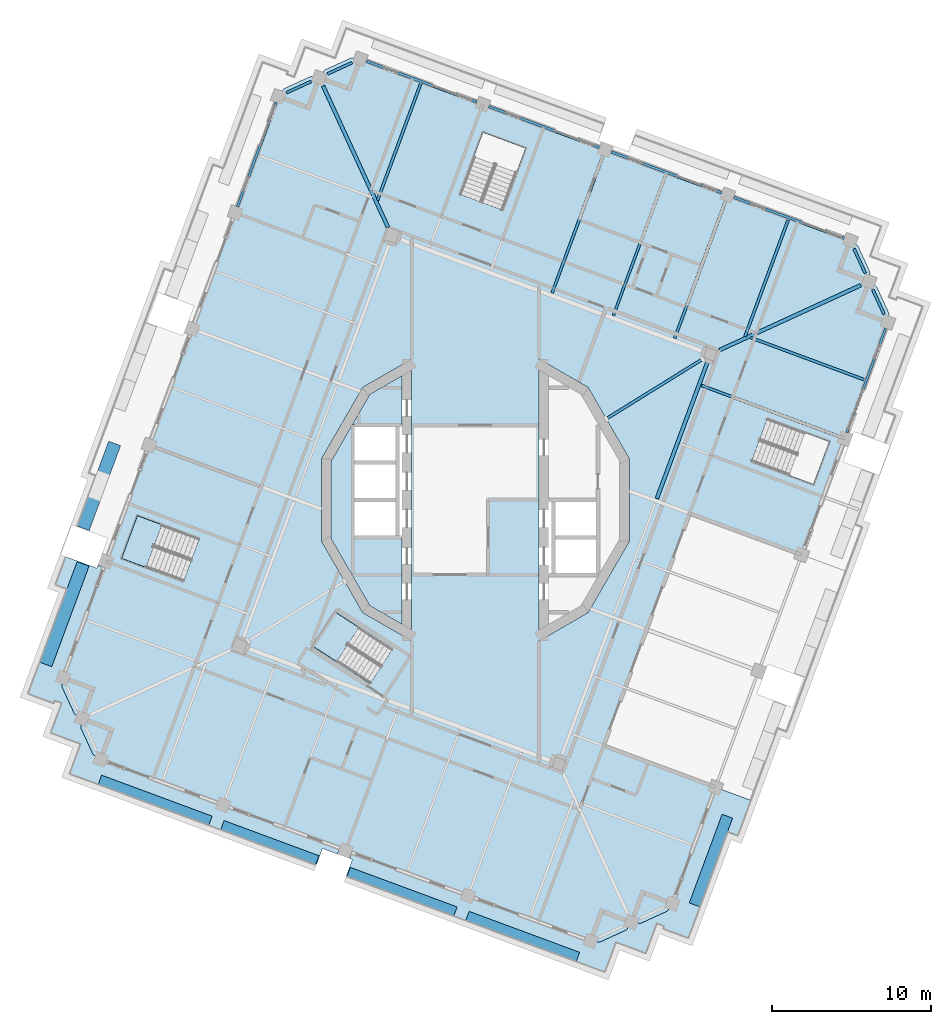
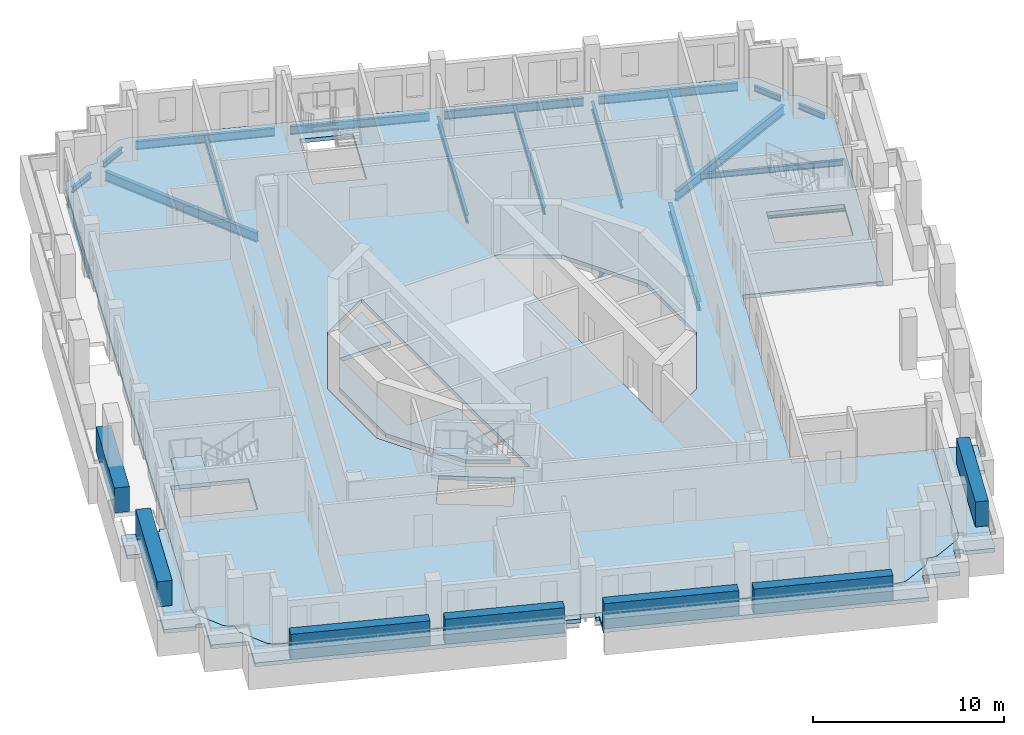
# One storey, part 2 of 18: 21 beams, 7 plates, 6 slabs, 2 elements without a shape of their own.
"""IFC4 building model written with IfcOpenShell, lengths in metres."""

from ifc_helpers import new_model, si_unit, direction, frame, origin, origin_2d, place, context, subcontext, project, spatial, polyline, rectangle, i_section, outline, extrude, material, layer, layer_set, material_profile, profile_set, type_object, element, aggregate, save


model = new_model("IFC4")

# Units and contexts
model_context = context("Model", 3, precision=1e-05, world=origin(), true_north=direction((0.0, 1.0)))
body_context = subcontext(model_context, "Body", "Model", "MODEL_VIEW")
ifc_project = project(units=[si_unit("LENGTHUNIT", "METRE"), si_unit("AREAUNIT", "SQUARE_METRE"), si_unit("VOLUMEUNIT", "CUBIC_METRE"), si_unit("PLANEANGLEUNIT", "RADIAN"), si_unit("MASSUNIT", "GRAM", prefix="KILO")], contexts=[model_context])

# Site, building, storey
site_placement = place(None, origin())
site = spatial("IfcSite", under=ifc_project, at=site_placement, CompositionType="ELEMENT")
building_placement = place(site_placement, origin())
building = spatial("IfcBuilding", under=site, at=building_placement, Name="Cantera Rosa Tower", CompositionType="ELEMENT")
storey_placement = place(building_placement, frame((0.0, 0.0, 338.5)))
storey = spatial("IfcBuildingStorey", under=building, at=storey_placement, Name="L76", CompositionType="ELEMENT", Elevation=338.5)

# Beams
ifc_material_1 = material(Name="Steel ASTM A992 (Fy 345 MPa)", Category="steel")
ifc_material_profile_1 = material_profile(ifc_material_1, i_section(OverallWidth=0.177978515625, OverallDepth=0.406005859375, WebThickness=0.0078125, FlangeThickness=0.0126953125, FilletRadius=0.01025390625, at=origin_2d()), Name="W410X60")
ifc_profile_set_1 = profile_set([ifc_material_profile_1], Name="Steel ASTM A992 (Fy 345 MPa)")
beam_type_1 = type_object("IfcBeamType", Name="STEEL BEAM W410X60", PredefinedType="BEAM", material=ifc_profile_set_1)
beam_1_placement = place(storey_placement, frame((14.262451171875, 8.84521484375, -0.452880859375), z_axis=(-0.849840939707, -0.527039255841, 0.0), x_axis=(0.527039255841, -0.849840939707, 0.0)))
element("IfcBeam", 1, at=beam_1_placement, inside=storey, type_object=beam_type_1, Name="PG-Z6-02 L76", PredefinedType="BEAM", context=body_context, shape_type="SweptSolid", body=[
    extrude(i_section(OverallWidth=0.177978515625, OverallDepth=0.406005859375, WebThickness=0.0078125, FlangeThickness=0.0126953125, FilletRadius=0.01025390625, at=origin_2d()), origin(), (0.0, 0.0, 1.0), 7.118408203125),
])
ifc_material_2 = material(Name="Steel ASTM A992 (Fy 345 MPa)", Category="steel")
ifc_material_profile_2 = material_profile(ifc_material_2, i_section(OverallWidth=0.166015625, OverallDepth=0.528076171875, WebThickness=0.009765625, FlangeThickness=0.013671875, FilletRadius=0.0126953125, at=origin_2d()), Name="W530X74")
ifc_profile_set_2 = profile_set([ifc_material_profile_2], Name="Steel ASTM A992 (Fy 345 MPa)")
beam_type_2 = type_object("IfcBeamType", Name="STEEL BEAM W530X74", PredefinedType="BEAM", material=ifc_profile_set_2)
for number, where, z_axis, x_axis, name in (
    (2, (15.698486328125, 18.764404296875, -0.513916015625), (-0.347476838353, -0.937688566, 0.0), (0.937688566, -0.347476838353, 0.0), "G-Z6-01 L76"),
    (3, (8.009521484375, 21.61376953125, -0.513916015625), (-0.34750017104, -0.937679919337, 0.0), (0.937679919337, -0.34750017104, 0.0), "G-Z6-02 L76"),
    (4, (22.808837890625, 3.9931640625, -0.513916015625), (-0.937688566, 0.347476838353, 0.0), (-0.347476838353, -0.937688566, 0.0), "G-Z6-11 L76"),
):
    element("IfcBeam", number, at=place(storey_placement, frame(where, z_axis=z_axis, x_axis=x_axis)), inside=storey, type_object=beam_type_2, Name=name, PredefinedType="BEAM", context=body_context, shape_type="SweptSolid", body=[
        extrude(i_section(OverallWidth=0.166015625, OverallDepth=0.528076171875, WebThickness=0.009765625, FlangeThickness=0.013671875, FilletRadius=0.0126953125, at=origin_2d()), origin(), (0.0, 0.0, 1.0), 9.199951171875),
    ])
ifc_material_3 = material(Name="Steel ASTM A992 (Fy 345 MPa)", Category="steel")
ifc_material_profile_3 = material_profile(ifc_material_3, i_section(OverallWidth=0.22802734375, OverallDepth=0.60205078125, WebThickness=0.010498046875, FlangeThickness=0.014892578125, FilletRadius=0.0126953125, at=origin_2d()), Name="W610X101")
ifc_profile_set_3 = profile_set([ifc_material_profile_3], Name="Steel ASTM A992 (Fy 345 MPa)")
beam_type_3 = type_object("IfcBeamType", Name="STEEL BEAM W610X101", PredefinedType="BEAM", material=ifc_profile_set_3)
for number, where, z_axis, x_axis, name in (
    (5, (-9.56396484375, 25.992919921875, -0.551025390625), (0.417345508131, -0.908747889595, 0.0), (0.908747889595, 0.417345508131, 0.0), "CB-Z6-01 L76"),
    (6, (24.19287109375, 13.483642578125, -0.551025390625), (-0.908747889595, -0.417345508131, 0.0), (0.417345508131, -0.908747889595, 0.0), "CB-Z6-04 L76"),
):
    element("IfcBeam", number, at=place(storey_placement, frame(where, z_axis=z_axis, x_axis=x_axis)), inside=storey, type_object=beam_type_3, Name=name, PredefinedType="BEAM", context=body_context, shape_type="SweptSolid", body=[
        extrude(i_section(OverallWidth=0.22802734375, OverallDepth=0.60205078125, WebThickness=0.010498046875, FlangeThickness=0.014892578125, FilletRadius=0.0126953125, at=origin_2d()), origin(), (0.0, 0.0, 1.0), 9.758056640625),
    ])
beam_2_placement = place(storey_placement, frame((11.39013671875, 0.087646484375, -0.551025390625), z_axis=(0.347498244979, 0.937680633125, 0.0), x_axis=(-0.937680633125, 0.347498244979, 0.0)))
element("IfcBeam", 7, at=beam_2_placement, inside=storey, type_object=beam_type_3, Name="RB-Z6-06 L76", PredefinedType="BEAM", context=body_context, shape_type="SweptSolid", body=[
    extrude(i_section(OverallWidth=0.22802734375, OverallDepth=0.60205078125, WebThickness=0.010498046875, FlangeThickness=0.014892578125, FilletRadius=0.0126953125, at=origin_2d()), origin(), (0.0, 0.0, 1.0), 9.2099609375),
])
ifc_material_4 = material(Name="Steel ASTM A992 (Fy 345 MPa)", Category="steel")
ifc_material_profile_4 = material_profile(ifc_material_4, i_section(OverallWidth=0.1708984375, OverallDepth=0.35595703125, WebThickness=0.00732421875, FlangeThickness=0.01171875, FilletRadius=0.010009765625, at=origin_2d()), Name="W360X51")
ifc_profile_set_4 = profile_set([ifc_material_profile_4], Name="Steel ASTM A992 (Fy 345 MPa)")
beam_type_4 = type_object("IfcBeamType", Name="STEEL JOIST W360X51", PredefinedType="JOIST", material=ifc_profile_set_4)
for number, where, z_axis, x_axis, name in (
    (8, (19.6298828125, 17.573974609375, -0.427978515625), (-0.347491728417, -0.937683048093, 0.0), (0.937683048093, -0.347491728417, 0.0), "B-Z6-01 L76"),
    (9, (-3.437255859375, 26.1220703125, -0.427978515625), (-0.347491728417, -0.937683048093, 0.0), (0.937683048093, -0.347491728417, 0.0), "B-Z6-04 L76"),
):
    element("IfcBeam", number, at=place(storey_placement, frame(where, z_axis=z_axis, x_axis=x_axis)), inside=storey, type_object=beam_type_4, Name=name, PredefinedType="JOIST", context=body_context, shape_type="SweptSolid", body=[
        extrude(i_section(OverallWidth=0.1708984375, OverallDepth=0.35595703125, WebThickness=0.00732421875, FlangeThickness=0.01171875, FilletRadius=0.010009765625, at=origin_2d()), origin(), (0.0, 0.0, 1.0), 7.800048828125),
    ])
beam_3_placement = place(storey_placement, frame((24.39501953125, 7.553955078125, -0.427978515625), z_axis=(-0.937686277131, 0.347483014951, 0.0), x_axis=(-0.347483014951, -0.937686277131, 0.0)))
element("IfcBeam", 10, at=beam_3_placement, inside=storey, type_object=beam_type_4, Name="B-Z6-14 L76", PredefinedType="JOIST", context=body_context, shape_type="SweptSolid", body=[
    extrude(i_section(OverallWidth=0.1708984375, OverallDepth=0.35595703125, WebThickness=0.00732421875, FlangeThickness=0.01171875, FilletRadius=0.010009765625, at=origin_2d()), origin(), (0.0, 0.0, 1.0), 7.590087890625),
])
ifc_material_5 = material(Name="Steel ASTM A992 (Fy 345 MPa)", Category="steel")
ifc_material_profile_5 = material_profile(ifc_material_5, i_section(OverallWidth=0.154052734375, OverallDepth=0.4599609375, WebThickness=0.009033203125, FlangeThickness=0.015380859375, FilletRadius=0.01025390625, at=origin_2d()), Name="W460X68")
ifc_profile_set_5 = profile_set([ifc_material_profile_5], Name="Steel ASTM A992 (Fy 345 MPa)")
beam_type_5 = type_object("IfcBeamType", Name="STEEL JOIST W460X68", PredefinedType="JOIST", material=ifc_profile_set_5)
beam_4_placement = place(storey_placement, frame((11.94091796875, 20.42333984375, -0.47998046875), z_axis=(-0.347482637031, -0.937686417179, 0.0), x_axis=(0.937686417179, -0.347482637031, 0.0)))
element("IfcBeam", 11, at=beam_4_placement, inside=storey, type_object=beam_type_5, Name="B-Z6-02 L76", PredefinedType="JOIST", context=body_context, shape_type="SweptSolid", body=[
    extrude(i_section(OverallWidth=0.154052734375, OverallDepth=0.4599609375, WebThickness=0.009033203125, FlangeThickness=0.015380859375, FilletRadius=0.01025390625, at=origin_2d()), origin(), (0.0, 0.0, 1.0), 9.449951171875),
])
ifc_material_6 = material(Name="Steel ASTM A992 (Fy 345 MPa)", Category="steel")
ifc_material_profile_6 = material_profile(ifc_material_6, i_section(OverallWidth=0.1708984375, OverallDepth=0.35595703125, WebThickness=0.00732421875, FlangeThickness=0.01171875, FilletRadius=0.010009765625, at=origin_2d()), Name="W360X51")
ifc_profile_set_6 = profile_set([ifc_material_profile_6], Name="Steel ASTM A992 (Fy 345 MPa)")
beam_type_6 = type_object("IfcBeamType", Name="STEEL SPANDREL BEAM W360X51", PredefinedType="SPANDREL", material=ifc_profile_set_6)
for number, where, z_axis, x_axis, name in (
    (12, (-7.74365234375, 27.451416015625, -0.427978515625), (-0.908753529973, -0.417333226286, 0.0), (0.417333226286, -0.908753529973, 0.0), "EB-Z6-05 L76"),
    (13, (-10.31396484375, 26.27099609375, -0.427978515625), (-0.908753529973, -0.417333226286, 0.0), (0.417333226286, -0.908753529973, 0.0), "EB-Z6-06 L76"),
):
    element("IfcBeam", number, at=place(storey_placement, frame(where, z_axis=z_axis, x_axis=x_axis)), inside=storey, type_object=beam_type_6, Name=name, PredefinedType="SPANDREL", context=body_context, shape_type="SweptSolid", body=[
        extrude(i_section(OverallWidth=0.1708984375, OverallDepth=0.35595703125, WebThickness=0.00732421875, FlangeThickness=0.01171875, FilletRadius=0.010009765625, at=origin_2d()), origin(), (0.0, 0.0, 1.0), 1.697021484375),
    ])
for number, where, z_axis, x_axis, name in (
    (14, (25.651123046875, 11.66357421875, -0.427978515625), (-0.417268968709, 0.908783036677, 0.0), (-0.908783036677, -0.417268968709, 0.0), "EB-Z6-25 L76"),
    (15, (24.470947265625, 14.23388671875, -0.427978515625), (-0.417387791404, 0.908728469669, 0.0), (-0.908728469669, -0.417387791404, 0.0), "EB-Z6-26 L76"),
):
    element("IfcBeam", number, at=place(storey_placement, frame(where, z_axis=z_axis, x_axis=x_axis)), inside=storey, type_object=beam_type_6, Name=name, PredefinedType="SPANDREL", context=body_context, shape_type="SweptSolid", body=[
        extrude(i_section(OverallWidth=0.1708984375, OverallDepth=0.35595703125, WebThickness=0.00732421875, FlangeThickness=0.01171875, FilletRadius=0.010009765625, at=origin_2d()), origin(), (0.0, 0.0, 1.0), 1.69677734375),
    ])
ifc_material_7 = material(Name="Steel ASTM A992 (Fy 345 MPa)", Category="steel")
ifc_material_profile_7 = material_profile(ifc_material_7, i_section(OverallWidth=0.154052734375, OverallDepth=0.4599609375, WebThickness=0.009033203125, FlangeThickness=0.015380859375, FilletRadius=0.01025390625, at=origin_2d()), Name="W460X68")
ifc_profile_set_7 = profile_set([ifc_material_profile_7], Name="Steel ASTM A992 (Fy 345 MPa)")
beam_type_7 = type_object("IfcBeamType", Name="STEEL SPANDREL BEAM W460X68", PredefinedType="SPANDREL", material=ifc_profile_set_7)
beam_5_placement = place(storey_placement, frame((-12.50927734375, 24.95166015625, -0.47998046875), z_axis=(-0.347490919506, -0.937683347864, 0.0), x_axis=(0.937683347864, -0.347490919506, 0.0)))
element("IfcBeam", 16, at=beam_5_placement, inside=storey, type_object=beam_type_7, Name="EB-Z6-07 L76", PredefinedType="SPANDREL", context=body_context, shape_type="SweptSolid", body=[
    extrude(i_section(OverallWidth=0.154052734375, OverallDepth=0.4599609375, WebThickness=0.009033203125, FlangeThickness=0.015380859375, FilletRadius=0.01025390625, at=origin_2d()), origin(), (0.0, 0.0, 1.0), 6.980224609375),
])
beam_6_placement = place(storey_placement, frame((23.322998046875, 4.229248046875, -0.47998046875), z_axis=(0.347460165909, 0.937694744097, 0.0), x_axis=(-0.937694744097, 0.347460165909, 0.0)))
element("IfcBeam", 17, at=beam_6_placement, inside=storey, type_object=beam_type_7, Name="EB-Z6-24 L76", PredefinedType="SPANDREL", context=body_context, shape_type="SweptSolid", body=[
    extrude(i_section(OverallWidth=0.154052734375, OverallDepth=0.4599609375, WebThickness=0.009033203125, FlangeThickness=0.015380859375, FilletRadius=0.01025390625, at=origin_2d()), origin(), (0.0, 0.0, 1.0), 6.97998046875),
])
ifc_material_8 = material(Name="Steel ASTM A992 (Fy 345 MPa)", Category="steel")
ifc_material_profile_8 = material_profile(ifc_material_8, i_section(OverallWidth=0.166015625, OverallDepth=0.528076171875, WebThickness=0.009765625, FlangeThickness=0.013671875, FilletRadius=0.0126953125, at=origin_2d()), Name="W530X74")
ifc_profile_set_8 = profile_set([ifc_material_profile_8], Name="Steel ASTM A992 (Fy 345 MPa)")
beam_type_8 = type_object("IfcBeamType", Name="STEEL SPANDREL BEAM W530X74", PredefinedType="SPANDREL", material=ifc_profile_set_8)
beam_7_placement = place(storey_placement, frame((23.1513671875, 16.428955078125, -0.513916015625), z_axis=(-0.937676706507, 0.347508840281, 0.0), x_axis=(-0.347508840281, -0.937676706507, 0.0)))
element("IfcBeam", 18, at=beam_7_placement, inside=storey, type_object=beam_type_8, Name="EB-Z6-01 L76", PredefinedType="SPANDREL", context=body_context, shape_type="SweptSolid", body=[
    extrude(i_section(OverallWidth=0.166015625, OverallDepth=0.528076171875, WebThickness=0.009765625, FlangeThickness=0.013671875, FilletRadius=0.0126953125, at=origin_2d()), origin(), (0.0, 0.0, 1.0), 7.39990234375),
])
for number, where, z_axis, x_axis, name in (
    (19, (15.46240234375, 19.2783203125, -0.513916015625), (-0.937680690562, 0.34749808999, 0.0), (-0.34749808999, -0.937680690562, 0.0), "EB-Z6-02 L76"),
    (20, (7.7734375, 22.127685546875, -0.513916015625), (-0.937680690562, 0.34749808999, 0.0), (-0.34749808999, -0.937680690562, 0.0), "EB-Z6-03 L76"),
):
    element("IfcBeam", number, at=place(storey_placement, frame(where, z_axis=z_axis, x_axis=x_axis)), inside=storey, type_object=beam_type_8, Name=name, PredefinedType="SPANDREL", context=body_context, shape_type="SweptSolid", body=[
        extrude(i_section(OverallWidth=0.166015625, OverallDepth=0.528076171875, WebThickness=0.009765625, FlangeThickness=0.013671875, FilletRadius=0.0126953125, at=origin_2d()), origin(), (0.0, 0.0, 1.0), 7.400146484375),
    ])
beam_8_placement = place(storey_placement, frame((0.084228515625, 24.97705078125, -0.513916015625), z_axis=(-0.937687456783, 0.347479831633, 0.0), x_axis=(-0.347479831633, -0.937687456783, 0.0)))
element("IfcBeam", 21, at=beam_8_placement, inside=storey, type_object=beam_type_8, Name="EB-Z6-04 L76", PredefinedType="SPANDREL", context=body_context, shape_type="SweptSolid", body=[
    extrude(i_section(OverallWidth=0.166015625, OverallDepth=0.528076171875, WebThickness=0.009765625, FlangeThickness=0.013671875, FilletRadius=0.0126953125, at=origin_2d()), origin(), (0.0, 0.0, 1.0), 7.39990234375),
])

# Slabs
ifc_material_9 = material(Name="Concrete C35/45", Category="concrete")
ifc_layer_1 = layer(ifc_material_9, 0.25)
ifc_layer_set_1 = layer_set([ifc_layer_1], Name="COMPOSITE FLOOR SLAB 250 C35/45")
slab_type_1 = type_object("IfcSlabType", Name="COMPOSITE FLOOR SLAB 250 C35/45", PredefinedType="FLOOR", material=ifc_layer_set_1)
slab_1_placement = place(storey_placement, frame((0.0, 0.0, -0.25)))
element("IfcSlab", 22, at=slab_1_placement, inside=storey, type_object=slab_type_1, Name="SLAB L76 floor 1", PredefinedType="FLOOR", context=body_context, shape_type="SweptSolid", body=[
    extrude(outline(polyline([(-4.60009765625, -7.804931640625), (-6.6318359375, -6.6318359375), (-9.059326171875, -2.427490234375), (-9.059326171875, 2.427490234375), (-6.6318359375, 6.6318359375), (-4.60009765625, 7.804931640625), (-4.60009765625, 4.699951171875), (-7.699951171875, 4.699951171875), (-7.699951171875, 2.35009765625), (-7.699951171875, 0.0), (-7.699951171875, -2.35009765625), (-4.60009765625, -2.35009765625), (-4.60009765625, -7.804931640625)])), origin(), (0.0, 0.0, 1.0), 0.25),
])
slab_2_placement = place(storey_placement, frame((0.0, 0.0, -0.25)))
element("IfcSlab", 23, at=slab_2_placement, inside=storey, type_object=slab_type_1, Name="SLAB L76 floor 2", PredefinedType="FLOOR", context=body_context, shape_type="SweptSolid", body=[
    extrude(outline(polyline([(-23.944091796875, -16.014892578125), (-23.966552734375, -15.99609375), (-23.987060546875, -15.974853515625), (-24.005615234375, -15.951904296875), (-24.021484375, -15.92724609375), (-24.03515625, -15.901123046875), (-24.743408203125, -14.35888671875), (-24.75439453125, -14.331787109375), (-24.7626953125, -14.303466796875), (-24.76806640625, -14.2744140625), (-24.7705078125, -14.2451171875), (-24.770263671875, -14.2158203125), (-24.76708984375, -14.186279296875), (-24.706787109375, -13.7197265625), (-25.10009765625, -13.461181640625), (-25.12451171875, -13.444580078125), (-25.14697265625, -13.42578125), (-25.16748046875, -13.404541015625), (-25.18603515625, -13.381591796875), (-25.201904296875, -13.35693359375), (-25.215576171875, -13.330810546875), (-25.923828125, -11.788818359375), (-25.934814453125, -11.76123046875), (-25.943115234375, -11.733154296875), (-25.948486328125, -11.7041015625), (-25.950927734375, -11.6748046875), (-25.95068359375, -11.6455078125), (-25.947509765625, -11.6162109375), (-25.88720703125, -11.1494140625), (-12.733154296875, 24.347412109375), (-12.370361328125, 25.32666015625), (-12.11181640625, 25.7197265625), (-12.09521484375, 25.744140625), (-12.076171875, 25.7666015625), (-12.05517578125, 25.787353515625), (-12.0322265625, 25.8056640625), (-12.007568359375, 25.82177734375), (-11.9814453125, 25.835205078125), (-10.439208984375, 26.543701171875), (-10.411865234375, 26.554443359375), (-10.383544921875, 26.562744140625), (-10.354736328125, 26.568115234375), (-10.325439453125, 26.57080078125), (-10.2958984375, 26.5703125), (-10.2666015625, 26.567138671875), (-9.800048828125, 26.507080078125), (-9.54150390625, 26.900146484375), (-9.52490234375, 26.924560546875), (-9.505859375, 26.947021484375), (-9.48486328125, 26.9677734375), (-9.4619140625, 26.986083984375), (-9.437255859375, 27.002197265625), (-9.4111328125, 27.015625), (-7.868896484375, 27.72412109375), (-7.841552734375, 27.735107421875), (-7.813232421875, 27.7431640625), (-7.784423828125, 27.74853515625), (-7.7548828125, 27.751220703125), (-7.7255859375, 27.750732421875), (-7.6962890625, 27.74755859375), (-7.2294921875, 27.6875), (-6.25048828125, 27.32470703125), (23.526611328125, 16.2900390625), (23.919677734375, 16.031494140625), (23.944091796875, 16.014892578125), (23.966552734375, 15.99609375), (23.987060546875, 15.974853515625), (24.005615234375, 15.951904296875), (24.021484375, 15.92724609375), (24.03515625, 15.901123046875), (24.743408203125, 14.35888671875), (24.75439453125, 14.331787109375), (24.7626953125, 14.303466796875), (24.76806640625, 14.2744140625), (24.7705078125, 14.2451171875), (24.770263671875, 14.2158203125), (24.76708984375, 14.186279296875), (24.706787109375, 13.7197265625), (25.10009765625, 13.461181640625), (25.12451171875, 13.444580078125), (25.14697265625, 13.42578125), (25.16748046875, 13.404541015625), (25.18603515625, 13.381591796875), (25.201904296875, 13.35693359375), (25.215576171875, 13.330810546875), (25.923828125, 11.788818359375), (25.934814453125, 11.76123046875), (25.943115234375, 11.733154296875), (25.948486328125, 11.7041015625), (25.950927734375, 11.6748046875), (25.95068359375, 11.6455078125), (25.947509765625, 11.6162109375), (25.88720703125, 11.1494140625), (20.48046875, -3.44091796875), (13.447998046875, -0.8349609375), (8.041015625, -15.42529296875), (15.07373046875, -18.031494140625), (12.733154296875, -24.347412109375), (12.370361328125, -25.32666015625), (12.11181640625, -25.7197265625), (12.09521484375, -25.744140625), (12.076171875, -25.7666015625), (12.05517578125, -25.787353515625), (12.0322265625, -25.8056640625), (12.007568359375, -25.82177734375), (11.9814453125, -25.835205078125), (10.439208984375, -26.543701171875), (10.411865234375, -26.554443359375), (10.383544921875, -26.562744140625), (10.354736328125, -26.568115234375), (10.325439453125, -26.57080078125), (10.2958984375, -26.5703125), (10.2666015625, -26.567138671875), (9.800048828125, -26.507080078125), (9.54150390625, -26.900146484375), (9.52490234375, -26.924560546875), (9.505859375, -26.947021484375), (9.48486328125, -26.9677734375), (9.4619140625, -26.986083984375), (9.437255859375, -27.002197265625), (9.4111328125, -27.015625), (7.868896484375, -27.72412109375), (7.841552734375, -27.735107421875), (7.813232421875, -27.7431640625), (7.784423828125, -27.74853515625), (7.7548828125, -27.751220703125), (7.7255859375, -27.750732421875), (7.6962890625, -27.74755859375), (7.2294921875, -27.6875), (6.25048828125, -27.32470703125), (-23.526611328125, -16.2900390625), (-23.919677734375, -16.031494140625), (-23.944091796875, -16.014892578125)]), holes=[polyline([(-6.6044921875, -11.507080078125), (-5.2158203125, -9.368408203125), (-8.581298828125, -7.1826171875), (-9.97021484375, -9.3212890625), (-6.6044921875, -11.507080078125)]), polyline([(-18.325927734375, -5.099853515625), (-17.335693359375, -2.427490234375), (-21.2158203125, -0.989501953125), (-22.206298828125, -3.662109375), (-18.325927734375, -5.099853515625)]), polyline([(-9.6591796875, -2.588134765625), (-7.071044921875, -7.071044921875), (-4.0, -8.843994140625), (-4.0, 8.843994140625), (-7.071044921875, 7.071044921875), (-9.6591796875, 2.588134765625), (-9.6591796875, -2.588134765625)]), polyline([(7.071044921875, 7.071044921875), (4.0, 8.843994140625), (4.0, -8.843994140625), (7.071044921875, -7.071044921875), (9.6591796875, -2.588134765625), (9.6591796875, 2.588134765625), (7.071044921875, 7.071044921875)]), polyline([(22.206298828125, 3.662109375), (18.325927734375, 5.099853515625), (17.335693359375, 2.427490234375), (21.2158203125, 0.989501953125), (22.206298828125, 3.662109375)]), polyline([(0.47216796875, 23.07373046875), (-0.9658203125, 19.193603515625), (1.70654296875, 18.203369140625), (3.14453125, 22.08349609375), (0.47216796875, 23.07373046875)])]), origin(), (0.0, 0.0, 1.0), 0.25),
])
ifc_material_10 = material(Name="Concrete C35/45", Category="concrete")
ifc_layer_2 = layer(ifc_material_10, 0.25)
ifc_layer_set_2 = layer_set([ifc_layer_2], Name="LOGGIA SLAB 250 C35/45")
slab_type_2 = type_object("IfcSlabType", Name="LOGGIA SLAB 250 C35/45", PredefinedType="FLOOR", material=ifc_layer_set_2)
slab_3_placement = place(storey_placement, frame((0.0, 0.0, -0.25)))
element("IfcSlab", 24, at=slab_3_placement, inside=storey, type_object=slab_type_2, Name="LOGGIA SLAB L76 1", PredefinedType="FLOOR", context=body_context, shape_type="SweptSolid", body=[
    extrude(outline(polyline([(-24.050537109375, -17.7041015625), (-25.46435546875, -17.179931640625), (-24.76953125, -15.3046875), (-25.23095703125, -15.1337890625), (-26.644775390625, -14.609619140625), (-26.120849609375, -13.19580078125), (-25.949951171875, -12.734375), (-26.411376953125, -12.563232421875), (-26.47802734375, -12.743408203125), (-28.072021484375, -12.152587890625), (-25.6357421875, -5.578369140625), (-26.356689453125, -5.311279296875), (-25.707275390625, -3.558837890625), (-23.767578125, -4.27783203125), (-23.697998046875, -4.09033203125), (-23.322998046875, -4.229248046875), (-25.88720703125, -11.1494140625), (-25.947509765625, -11.6162109375), (-25.95068359375, -11.6455078125), (-25.950927734375, -11.6748046875), (-25.948486328125, -11.7041015625), (-25.943115234375, -11.733154296875), (-25.934814453125, -11.76123046875), (-25.923828125, -11.788818359375), (-25.215576171875, -13.330810546875), (-25.201904296875, -13.35693359375), (-25.18603515625, -13.381591796875), (-25.16748046875, -13.404541015625), (-25.14697265625, -13.42578125), (-25.12451171875, -13.444580078125), (-25.10009765625, -13.461181640625), (-24.706787109375, -13.7197265625), (-24.76708984375, -14.186279296875), (-24.770263671875, -14.2158203125), (-24.7705078125, -14.2451171875), (-24.76806640625, -14.2744140625), (-24.7626953125, -14.303466796875), (-24.75439453125, -14.331787109375), (-24.743408203125, -14.35888671875), (-24.03515625, -15.901123046875), (-24.021484375, -15.92724609375), (-24.005615234375, -15.951904296875), (-23.987060546875, -15.974853515625), (-23.966552734375, -15.99609375), (-23.944091796875, -16.014892578125), (-23.919677734375, -16.031494140625), (-23.526611328125, -16.2900390625), (-8.5234375, -21.849853515625), (-8.66259765625, -22.224853515625), (-9.60009765625, -21.87744140625), (-9.982421875, -22.90869140625), (-10.076171875, -22.8740234375), (-14.9521484375, -21.067138671875), (-17.76513671875, -20.024658203125), (-24.047607421875, -17.696533203125), (-24.050537109375, -17.7041015625)])), origin(), (0.0, 0.0, 1.0), 0.25),
])
slab_4_placement = place(storey_placement, frame((0.0, 0.0, -0.25)))
element("IfcSlab", 25, at=slab_4_placement, inside=storey, type_object=slab_type_2, Name="LOGGIA SLAB L76 3", PredefinedType="FLOOR", context=body_context, shape_type="SweptSolid", body=[
    extrude(outline(polyline([(11.380126953125, -26.559326171875), (11.20654296875, -27.0283203125), (10.685302734375, -28.434814453125), (9.27880859375, -27.91357421875), (8.809814453125, -27.73974609375), (8.63623046875, -28.208740234375), (8.114990234375, -29.615234375), (6.70849609375, -29.093994140625), (0.42578125, -26.765869140625), (-2.38720703125, -25.723388671875), (-7.26318359375, -23.91650390625), (-8.10693359375, -23.603759765625), (-7.724853515625, -22.572265625), (-7.912353515625, -22.502685546875), (-7.7734375, -22.127685546875), (6.25048828125, -27.32470703125), (7.2294921875, -27.6875), (7.6962890625, -27.74755859375), (7.7255859375, -27.750732421875), (7.7548828125, -27.751220703125), (7.784423828125, -27.74853515625), (7.813232421875, -27.7431640625), (7.841552734375, -27.735107421875), (7.868896484375, -27.72412109375), (9.4111328125, -27.015625), (9.437255859375, -27.002197265625), (9.4619140625, -26.986083984375), (9.48486328125, -26.9677734375), (9.505859375, -26.947021484375), (9.52490234375, -26.924560546875), (9.54150390625, -26.900146484375), (9.800048828125, -26.507080078125), (10.2666015625, -26.567138671875), (10.2958984375, -26.5703125), (10.325439453125, -26.57080078125), (10.354736328125, -26.568115234375), (10.383544921875, -26.562744140625), (10.411865234375, -26.554443359375), (10.439208984375, -26.543701171875), (11.9814453125, -25.835205078125), (12.007568359375, -25.82177734375), (12.0322265625, -25.8056640625), (12.05517578125, -25.787353515625), (12.076171875, -25.7666015625), (12.09521484375, -25.744140625), (12.11181640625, -25.7197265625), (12.370361328125, -25.32666015625), (12.733154296875, -24.347412109375), (15.07373046875, -18.031494140625), (17.27880859375, -18.848388671875), (16.461669921875, -21.053466796875), (15.828369140625, -20.81884765625), (13.359619140625, -27.480712890625), (11.787841796875, -26.898193359375), (11.84912109375, -26.733154296875), (11.380126953125, -26.559326171875)])), origin(), (0.0, 0.0, 1.0), 0.25),
])

# Plates
ifc_material_11 = material(Name="Cantera stone planter with soil", Category="masonry")
plate_type_1 = type_object("IfcPlateType", Name="PLANTER 600", PredefinedType="USERDEFINED", material=ifc_material_11)
plate_1_placement = place(storey_placement, frame((-20.098876953125, -18.83984375, 0.0), z_axis=(0.0, 0.0, 1.0), x_axis=(0.937686936924, -0.347481234489, 0.0)))
element("IfcPlate", 26, at=plate_1_placement, inside=storey, type_object=plate_type_1, Name="PLANTER L76-10", ObjectType="PLANTER", PredefinedType="USERDEFINED", context=body_context, shape_type="SweptSolid", body=[
    extrude(rectangle(XDim=7.39990234375, YDim=0.60009765625, at=origin_2d()), origin(), (0.0, 0.0, 1.0), 1.60009765625),
])
plate_2_placement = place(storey_placement, frame((-12.902099609375, -21.5068359375, 0.0), z_axis=(0.0, 0.0, 1.0), x_axis=(0.937686936924, -0.347481234489, 0.0)))
element("IfcPlate", 27, at=plate_2_placement, inside=storey, type_object=plate_type_1, Name="PLANTER L76-11", ObjectType="PLANTER", PredefinedType="USERDEFINED", context=body_context, shape_type="SweptSolid", body=[
    extrude(rectangle(XDim=6.35009765625, YDim=0.60009765625, at=origin_2d()), origin(), (0.0, 0.0, 1.0), 1.60009765625),
])
plate_3_placement = place(storey_placement, frame((-4.603759765625, -24.58203125, 0.0), z_axis=(0.0, 0.0, 1.0), x_axis=(0.937686936924, -0.347481234489, 0.0)))
element("IfcPlate", 28, at=plate_3_placement, inside=storey, type_object=plate_type_1, Name="PLANTER L76-12", ObjectType="PLANTER", PredefinedType="USERDEFINED", context=body_context, shape_type="SweptSolid", body=[
    extrude(rectangle(XDim=7.14990234375, YDim=0.60009765625, at=origin_2d()), origin(), (0.0, 0.0, 1.0), 1.60009765625),
])
plate_4_placement = place(storey_placement, frame((2.968017578125, -27.387939453125, 0.0), z_axis=(0.0, 0.0, 1.0), x_axis=(0.937686936924, -0.347481234489, 0.0)))
element("IfcPlate", 29, at=plate_4_placement, inside=storey, type_object=plate_type_1, Name="PLANTER L76-13", ObjectType="PLANTER", PredefinedType="USERDEFINED", context=body_context, shape_type="SweptSolid", body=[
    extrude(rectangle(XDim=7.39990234375, YDim=0.60009765625, at=origin_2d()), origin(), (0.0, 0.0, 1.0), 1.60009765625),
])
ifc_material_12 = material(Name="Cantera stone planter with soil", Category="masonry")
plate_type_2 = type_object("IfcPlateType", Name="PLANTER 700", PredefinedType="USERDEFINED", material=ifc_material_12)
plate_5_placement = place(storey_placement, frame((14.783203125, -22.632080078125, 0.0), z_axis=(0.0, 0.0, 1.0), x_axis=(0.347481234489, 0.937686936924, 0.0)))
element("IfcPlate", 30, at=plate_5_placement, inside=storey, type_object=plate_type_2, Name="PLANTER L76-14", ObjectType="PLANTER", PredefinedType="USERDEFINED", context=body_context, shape_type="SweptSolid", body=[
    extrude(rectangle(XDim=5.929931640625, YDim=0.699951171875, at=origin_2d()), origin(), (0.0, 0.0, 1.0), 1.60009765625),
])
ifc_material_13 = material(Name="Cantera stone planter with soil", Category="masonry")
plate_type_3 = type_object("IfcPlateType", Name="PLANTER 800", PredefinedType="USERDEFINED", material=ifc_material_13)
plate_6_placement = place(storey_placement, frame((-23.633056640625, 0.887451171875, 0.0), z_axis=(0.0, 0.0, 1.0), x_axis=(-0.347481234489, -0.937686936924, 0.0)))
element("IfcPlate", 31, at=plate_6_placement, inside=storey, type_object=plate_type_3, Name="PLANTER L76-08", ObjectType="PLANTER", PredefinedType="USERDEFINED", context=body_context, shape_type="SweptSolid", body=[
    extrude(rectangle(XDim=5.679931640625, YDim=0.800048828125, at=origin_2d()), origin(), (0.0, 0.0, 1.0), 1.60009765625),
])
plate_7_placement = place(storey_placement, frame((-25.798095703125, -7.167236328125, 0.0), z_axis=(0.0, 0.0, 1.0), x_axis=(-0.347481234489, -0.937686936924, 0.0)))
element("IfcPlate", 32, at=plate_7_placement, inside=storey, type_object=plate_type_3, Name="PLANTER L76-09", ObjectType="PLANTER", PredefinedType="USERDEFINED", context=body_context, shape_type="SweptSolid", body=[
    extrude(rectangle(XDim=6.72998046875, YDim=0.800048828125, at=origin_2d()), origin(), (0.0, 0.0, 1.0), 1.60009765625),
])

# Stair, slab
ifc_material_14 = material(Name="Concrete C35/45", Category="concrete")
stair_type_1 = type_object("IfcStairType", Name="EXIT STAIR 1350 DOGLEG", PredefinedType="HALF_TURN_STAIR", material=ifc_material_14)
stair_1_placement = place(storey_placement, origin())
stair_1 = element("IfcStair", 33, at=stair_1_placement, inside=storey, type_object=stair_type_1, Name="L76 ST-63", PredefinedType="HALF_TURN_STAIR")
ifc_material_15 = material(Name="Concrete C35/45", Category="concrete")
ifc_layer_3 = layer(ifc_material_15, 0.199951171875)
ifc_layer_set_3 = layer_set([ifc_layer_3], Name="STAIR LANDING 200")
slab_type_3 = type_object("IfcSlabType", Name="STAIR LANDING 200", PredefinedType="LANDING", material=ifc_layer_set_3)
slab_5_placement = place(storey_placement, frame((0.0, 0.0, 1.60009765625)))
slab_5 = element("IfcSlab", 34, at=slab_5_placement, type_object=slab_type_3, Name="ST-63 landing 1", PredefinedType="LANDING", context=body_context, shape_type="SweptSolid", body=[
    extrude(outline(polyline([(-19.67626953125, -1.56005859375), (-21.2158203125, -0.989501953125), (-22.206298828125, -3.661865234375), (-20.66650390625, -4.232421875), (-19.67626953125, -1.56005859375)])), origin(), (0.0, 0.0, 1.0), 0.199951171875),
])
aggregate(stair_1, [slab_5])

ifc_material_16 = material(Name="Concrete C35/45", Category="concrete")
stair_type_2 = type_object("IfcStairType", Name="EXIT STAIR 1200 DOGLEG", PredefinedType="HALF_TURN_STAIR", material=ifc_material_16)
stair_2_placement = place(storey_placement, origin())
stair_2 = element("IfcStair", 35, at=stair_2_placement, inside=storey, type_object=stair_type_2, Name="L76 ST-64", PredefinedType="HALF_TURN_STAIR")
slab_6_placement = place(storey_placement, frame((0.0, 0.0, 1.60009765625)))
slab_6 = element("IfcSlab", 36, at=slab_6_placement, type_object=slab_type_3, Name="ST-64 landing 1", PredefinedType="LANDING", context=body_context, shape_type="SweptSolid", body=[
    extrude(outline(polyline([(-7.30908203125, -8.009033203125), (-8.81201171875, -7.032958984375), (-10.20068359375, -9.171630859375), (-8.69775390625, -10.1474609375), (-7.30908203125, -8.009033203125)])), origin(), (0.0, 0.0, 1.0), 0.199951171875),
])
aggregate(stair_2, [slab_6])

save(model, "model.ifc")
